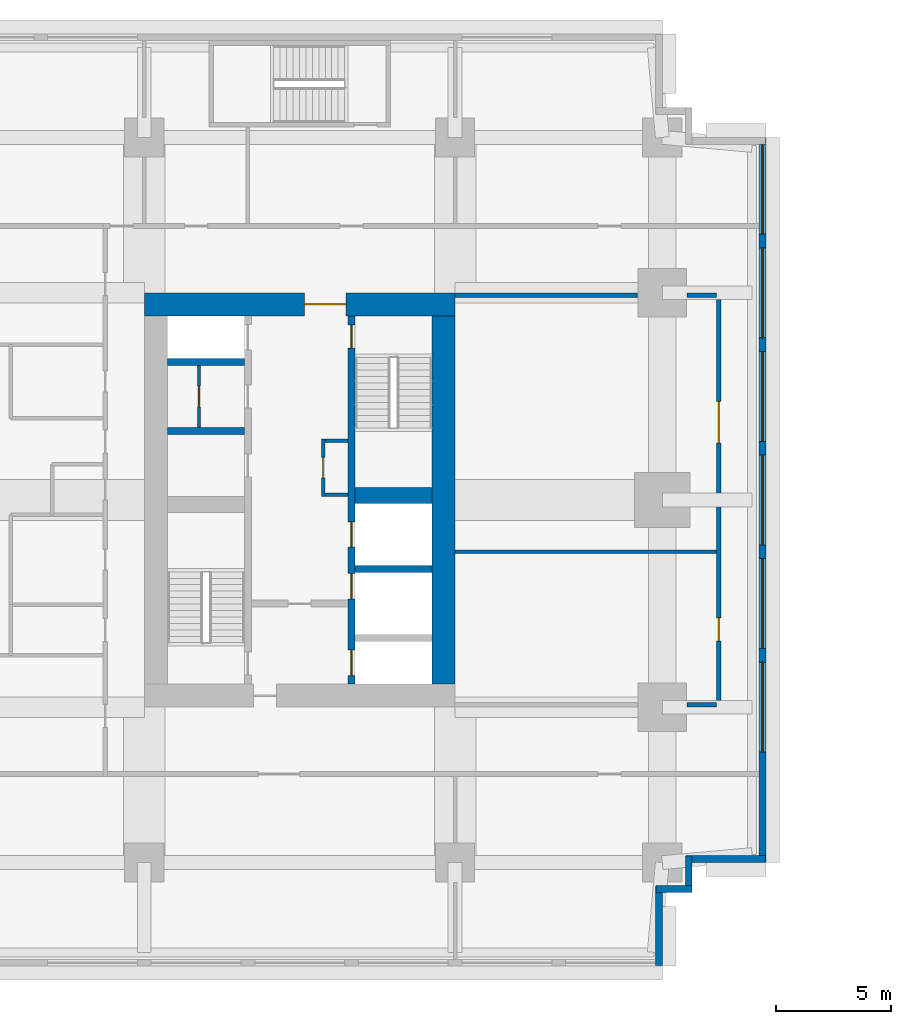
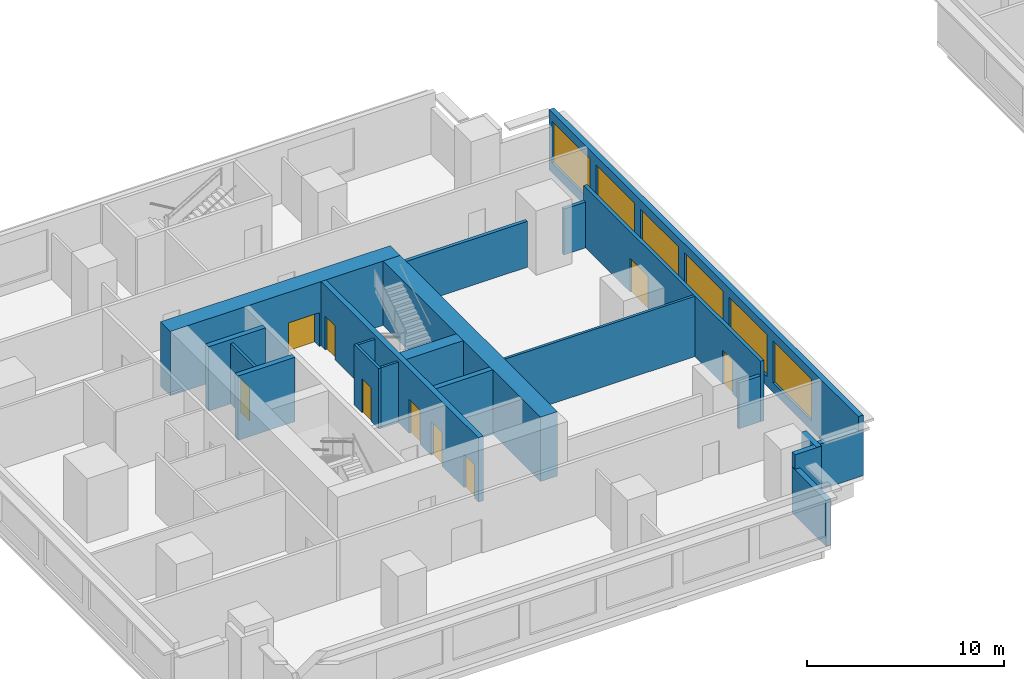
# One storey, part 4 of 10: 21 walls, 9 doors, 6 windows, 15 openings.
"""IFC4 building model written with IfcOpenShell, lengths in metres."""

from ifc_helpers import new_model, si_unit, direction, frame, frame_2d, origin, place, context, subcontext, project, spatial, rectangle, extrude, material, layer, layer_set, type_object, element, fill, save


model = new_model("IFC4")

# Units and contexts
model_context = context("Model", 3, precision=1e-05, world=origin(), true_north=direction((0.0, 1.0)))
body_context = subcontext(model_context, "Body", "Model", "MODEL_VIEW")
ifc_project = project(units=[si_unit("LENGTHUNIT", "METRE"), si_unit("AREAUNIT", "SQUARE_METRE"), si_unit("VOLUMEUNIT", "CUBIC_METRE"), si_unit("PLANEANGLEUNIT", "RADIAN"), si_unit("MASSUNIT", "GRAM", prefix="KILO")], contexts=[model_context])

# Site, building, storey
site_placement = place(None, origin())
site = spatial("IfcSite", under=ifc_project, at=site_placement, CompositionType="ELEMENT")
building_placement = place(site_placement, origin())
building = spatial("IfcBuilding", under=site, at=building_placement, Name="Namib Vertical Campus", CompositionType="ELEMENT")
storey_placement = place(building_placement, frame((0.0, 0.0, 161.0)))
storey = spatial("IfcBuildingStorey", under=building, at=storey_placement, Name="L38", CompositionType="ELEMENT", Elevation=161.0)

# Wall, openings, doors
ifc_material_1 = material(Name="Concrete C60/75", Category="concrete")
ifc_layer_1 = layer(ifc_material_1, 0.300048828125)
ifc_layer_set_1 = layer_set([ifc_layer_1], Name="Concrete C60/75")
wall_type_1 = type_object("IfcWallType", Name="Core inner wall 300", PredefinedType="SHEAR", material=ifc_layer_set_1)
wall_1_placement = place(storey_placement, frame((22.5, 12.25, 0.0), z_axis=(0.0, 0.0, 1.0), x_axis=(0.0, 1.0, 0.0)))
wall_1 = element("IfcWall", 1, at=wall_1_placement, inside=storey, type_object=wall_type_1, Name="Core inner wall A L38 W2", PredefinedType="SHEAR", context=body_context, shape_type="SweptSolid", body=[
    extrude(rectangle(XDim=16.0, YDim=0.300048828125, at=frame_2d((8.0, 0.0))), origin(), (0.0, 0.0, 1.0), 4.0),
])
opening_1_placement = place(wall_1_placement, frame((14.60009765625, 0.0, 0.0)))
opening_1 = element("IfcOpeningElement", 2, at=opening_1_placement, cuts=wall_1, Name="Opening FD1", PredefinedType="OPENING", context=body_context, shape_type="SweptSolid", body=[
    extrude(rectangle(XDim=1.0, YDim=2.10009765625, at=frame_2d((0.5, 1.050048828125))), frame((0.0, 0.159912109375, 0.0), z_axis=(0.0, -1.0, 0.0), x_axis=(1.0, 0.0, 0.0)), (0.0, 0.0, 1.0), 0.320068359375),
])
opening_2_placement = place(wall_1_placement, frame((0.375, 0.0, 0.0)))
opening_2 = element("IfcOpeningElement", 3, at=opening_2_placement, cuts=wall_1, Name="Opening LD1", PredefinedType="OPENING", context=body_context, shape_type="SweptSolid", body=[
    extrude(rectangle(XDim=1.10009765625, YDim=2.10009765625, at=frame_2d((0.550048828125, 1.050048828125))), frame((0.0, 0.159912109375, 0.0), z_axis=(0.0, -1.0, 0.0), x_axis=(1.0, 0.0, 0.0)), (0.0, 0.0, 1.0), 0.320068359375),
])
opening_3_placement = place(wall_1_placement, frame((3.699951171875, 0.0, 0.0)))
opening_3 = element("IfcOpeningElement", 4, at=opening_3_placement, cuts=wall_1, Name="Opening LD1", PredefinedType="OPENING", context=body_context, shape_type="SweptSolid", body=[
    extrude(rectangle(XDim=1.10009765625, YDim=2.10009765625, at=frame_2d((0.550048828125, 1.050048828125))), frame((0.0, 0.159912109375, 0.0), z_axis=(0.0, -1.0, 0.0), x_axis=(1.0, 0.0, 0.0)), (0.0, 0.0, 1.0), 0.320068359375),
])
opening_4_placement = place(wall_1_placement, frame((5.949951171875, 0.0, 0.0)))
opening_4 = element("IfcOpeningElement", 5, at=opening_4_placement, cuts=wall_1, Name="Opening LD1", PredefinedType="OPENING", context=body_context, shape_type="SweptSolid", body=[
    extrude(rectangle(XDim=1.10009765625, YDim=2.10009765625, at=frame_2d((0.550048828125, 1.050048828125))), frame((0.0, 0.159912109375, 0.0), z_axis=(0.0, -1.0, 0.0), x_axis=(1.0, 0.0, 0.0)), (0.0, 0.0, 1.0), 0.320068359375),
])
ifc_material_2 = material(Name="Steel fire door", Category="steel")
door_type_1 = type_object("IfcDoorType", Name="Fire door 1000x2100", OperationType="SINGLE_SWING_RIGHT", PredefinedType="DOOR", material=ifc_material_2)
door_1_placement = place(opening_1_placement, frame((1.0, 0.0, 0.0), z_axis=(0.0, 0.0, 1.0), x_axis=(-1.0, 0.0, 0.0)))
door_1 = element("IfcDoor", 6, at=door_1_placement, inside=storey, type_object=door_type_1, Name="Stair door FD1 A L38 S2", OperationType="SINGLE_SWING_LEFT", OverallHeight=2.10009765625, OverallWidth=1.0, PredefinedType="DOOR", context=body_context, shape_type="SweptSolid", body=[
    extrude(rectangle(XDim=1.0, YDim=2.10009765625, at=frame_2d((0.5, 1.050048828125))), frame((0.0, 0.02490234375, 0.0), z_axis=(0.0, -1.0, 0.0), x_axis=(1.0, 0.0, 0.0)), (0.0, 0.0, 1.0), 0.050048828125),
])
fill(opening_1, door_1)
ifc_material_3 = material(Name="Stainless steel lift door", Category="steel")
door_type_2 = type_object("IfcDoorType", Name="Lift landing door 1100x2100", OperationType="DOUBLE_DOOR_SLIDING", PredefinedType="DOOR", material=ifc_material_3)
door_2_placement = place(opening_2_placement, origin())
door_2 = element("IfcDoor", 7, at=door_2_placement, inside=storey, type_object=door_type_2, Name="Lift landing door LD1 A-FL1 L38", OperationType="DOUBLE_DOOR_SLIDING", OverallHeight=2.10009765625, OverallWidth=1.10009765625, PredefinedType="DOOR", context=body_context, shape_type="SweptSolid", body=[
    extrude(rectangle(XDim=1.10009765625, YDim=2.10009765625, at=frame_2d((0.550048828125, 1.050048828125))), frame((0.0, 0.02490234375, 0.0), z_axis=(0.0, -1.0, 0.0), x_axis=(1.0, 0.0, 0.0)), (0.0, 0.0, 1.0), 0.050048828125),
])
fill(opening_2, door_2)
door_3_placement = place(opening_3_placement, origin())
door_3 = element("IfcDoor", 8, at=door_3_placement, inside=storey, type_object=door_type_2, Name="Lift landing door LD1 A-P4 L38", OperationType="DOUBLE_DOOR_SLIDING", OverallHeight=2.10009765625, OverallWidth=1.10009765625, PredefinedType="DOOR", context=body_context, shape_type="SweptSolid", body=[
    extrude(rectangle(XDim=1.10009765625, YDim=2.10009765625, at=frame_2d((0.550048828125, 1.050048828125))), frame((0.0, 0.02490234375, 0.0), z_axis=(0.0, -1.0, 0.0), x_axis=(1.0, 0.0, 0.0)), (0.0, 0.0, 1.0), 0.050048828125),
])
fill(opening_3, door_3)
door_4_placement = place(opening_4_placement, origin())
door_4 = element("IfcDoor", 9, at=door_4_placement, inside=storey, type_object=door_type_2, Name="Lift landing door LD1 A-P5 L38", OperationType="DOUBLE_DOOR_SLIDING", OverallHeight=2.10009765625, OverallWidth=1.10009765625, PredefinedType="DOOR", context=body_context, shape_type="SweptSolid", body=[
    extrude(rectangle(XDim=1.10009765625, YDim=2.10009765625, at=frame_2d((0.550048828125, 1.050048828125))), frame((0.0, 0.02490234375, 0.0), z_axis=(0.0, -1.0, 0.0), x_axis=(1.0, 0.0, 0.0)), (0.0, 0.0, 1.0), 0.050048828125),
])
fill(opening_4, door_4)

# Walls
for number, where, z_axis, x_axis, name in (
    (10, (22.64990234375, 17.25, 0.0), (0.0, 0.0, 1.0), (1.0, 0.0, 0.0), "Core inner wall A L38 W6"),
    (11, (14.5, 23.25, 0.0), (0.0, 0.0, 1.0), (1.0, 0.0, 0.0), "Core inner wall A L38 W8"),
    (12, (14.5, 26.25, 0.0), (0.0, 0.0, 1.0), (1.0, 0.0, 0.0), "Core inner wall A L38 W9"),
):
    element("IfcWall", number, at=place(storey_placement, frame(where, z_axis=z_axis, x_axis=x_axis)), inside=storey, type_object=wall_type_1, Name=name, PredefinedType="SHEAR", context=body_context, shape_type="SweptSolid", body=[
        extrude(rectangle(XDim=3.35009765625, YDim=0.300048828125, at=frame_2d((1.675048828125, 0.0))), origin(), (0.0, 0.0, 1.0), 4.0),
    ])
ifc_material_4 = material(Name="Concrete C60/75", Category="concrete")
ifc_layer_2 = layer(ifc_material_4, 0.699951171875)
ifc_layer_set_2 = layer_set([ifc_layer_2], Name="Concrete C60/75")
wall_type_2 = type_object("IfcWallType", Name="Core shear wall 700", PredefinedType="SHEAR", material=ifc_layer_set_2)
wall_2_placement = place(storey_placement, frame((22.64990234375, 20.449951171875, 0.0), z_axis=(0.0, 0.0, 1.0), x_axis=(1.0, 0.0, 0.0)))
element("IfcWall", 13, at=wall_2_placement, inside=storey, type_object=wall_type_2, Name="Core shear wall A L38 W7", PredefinedType="SHEAR", context=body_context, shape_type="SweptSolid", body=[
    extrude(rectangle(XDim=3.35009765625, YDim=0.699951171875, at=frame_2d((1.675048828125, 0.0))), origin(), (0.0, 0.0, 1.0), 4.0),
])
ifc_material_5 = material(Name="Concrete C60/75", Category="concrete")
ifc_layer_3 = layer(ifc_material_5, 1.0)
ifc_layer_set_3 = layer_set([ifc_layer_3], Name="Concrete C60/75")
wall_type_3 = type_object("IfcWallType", Name="Core wall 1000", PredefinedType="SHEAR", material=ifc_layer_set_3)
wall_3_placement = place(storey_placement, frame((26.5, 12.25, 0.0), z_axis=(0.0, 0.0, 1.0), x_axis=(0.0, 1.0, 0.0)))
element("IfcWall", 14, at=wall_3_placement, inside=storey, type_object=wall_type_3, Name="Core wall A L38 2", PredefinedType="SHEAR", context=body_context, shape_type="SweptSolid", body=[
    extrude(rectangle(XDim=16.0, YDim=1.0, at=frame_2d((8.0, 0.0))), origin(), (0.0, 0.0, 1.0), 4.0),
])

# Wall, opening, door
wall_4_placement = place(storey_placement, frame((27.0, 28.75, 0.0), z_axis=(0.0, 0.0, 1.0), x_axis=(-1.0, 0.0, 0.0)))
wall_4 = element("IfcWall", 15, at=wall_4_placement, inside=storey, type_object=wall_type_3, Name="Core wall A L38 3", PredefinedType="SHEAR", context=body_context, shape_type="SweptSolid", body=[
    extrude(rectangle(XDim=13.5, YDim=1.0, at=frame_2d((6.75, 0.0))), origin(), (0.0, 0.0, 1.0), 4.0),
])
opening_5_placement = place(wall_4_placement, frame((4.75, 0.0, 0.0)))
opening_5 = element("IfcOpeningElement", 16, at=opening_5_placement, cuts=wall_4, Name="Opening FD2", PredefinedType="OPENING", context=body_context, shape_type="SweptSolid", body=[
    extrude(rectangle(XDim=1.800048828125, YDim=2.10009765625, at=frame_2d((0.89990234375, 1.050048828125))), frame((0.0, 0.510009765625, 0.0), z_axis=(0.0, -1.0, 0.0), x_axis=(1.0, 0.0, 0.0)), (0.0, 0.0, 1.0), 1.02001953125),
])
ifc_material_6 = material(Name="Steel fire door", Category="steel")
door_type_3 = type_object("IfcDoorType", Name="Fire door double 1800x2100", OperationType="DOUBLE_DOOR_SINGLE_SWING", PredefinedType="DOOR", material=ifc_material_6)
door_5_placement = place(opening_5_placement, origin())
door_5 = element("IfcDoor", 17, at=door_5_placement, inside=storey, type_object=door_type_3, Name="Lift lobby door FD2 A L38", OperationType="DOUBLE_DOOR_SINGLE_SWING", OverallHeight=2.10009765625, OverallWidth=1.800048828125, PredefinedType="DOOR", context=body_context, shape_type="SweptSolid", body=[
    extrude(rectangle(XDim=1.800048828125, YDim=2.10009765625, at=frame_2d((0.89990234375, 1.050048828125))), frame((0.0, 0.02490234375, 0.0), z_axis=(0.0, -1.0, 0.0), x_axis=(1.0, 0.0, 0.0)), (0.0, 0.0, 1.0), 0.050048828125),
])
fill(opening_5, door_5)

# Wall, openings, doors
ifc_material_7 = material(Name="Concrete masonry", Category="masonry")
ifc_layer_4 = layer(ifc_material_7, 0.199951171875)
ifc_layer_set_4 = layer_set([ifc_layer_4], Name="Corridor wall 200")
wall_type_4 = type_object("IfcWallType", Name="Corridor wall 200", PredefinedType="SOLIDWALL", material=ifc_layer_set_4)
wall_5_placement = place(storey_placement, frame((38.449951171875, 11.25, 0.0), z_axis=(0.0, 0.0, 1.0), x_axis=(0.0, 1.0, 0.0)))
wall_5 = element("IfcWall", 18, at=wall_5_placement, inside=storey, type_object=wall_type_4, Name="Corridor wall A L38 CG", PredefinedType="SOLIDWALL", context=body_context, shape_type="SweptSolid", body=[
    extrude(rectangle(XDim=18.0, YDim=0.199951171875, at=frame_2d((9.0, 0.0))), origin(), (0.0, 0.0, 1.0), 3.75),
])
opening_6_placement = place(wall_5_placement, frame((2.875, 0.0, 0.0)))
opening_6 = element("IfcOpeningElement", 19, at=opening_6_placement, cuts=wall_5, Name="Opening CD1", PredefinedType="OPENING", context=body_context, shape_type="SweptSolid", body=[
    extrude(rectangle(XDim=1.0, YDim=2.10009765625, at=frame_2d((0.5, 1.050048828125))), frame((0.0, 0.10986328125, 0.0), z_axis=(0.0, -1.0, 0.0), x_axis=(1.0, 0.0, 0.0)), (0.0, 0.0, 1.0), 0.219970703125),
])
opening_7_placement = place(wall_5_placement, frame((11.47509765625, 0.0, 0.0)))
opening_7 = element("IfcOpeningElement", 20, at=opening_7_placement, cuts=wall_5, Name="Opening CD2", PredefinedType="OPENING", context=body_context, shape_type="SweptSolid", body=[
    extrude(rectangle(XDim=1.800048828125, YDim=2.10009765625, at=frame_2d((0.89990234375, 1.050048828125))), frame((0.0, 0.10986328125, 0.0), z_axis=(0.0, -1.0, 0.0), x_axis=(1.0, 0.0, 0.0)), (0.0, 0.0, 1.0), 0.219970703125),
])
ifc_material_8 = material(Name="Timber fire door leaf", Category="wood")
door_type_4 = type_object("IfcDoorType", Name="Corridor door 1000x2100 20 min", OperationType="SINGLE_SWING_LEFT", PredefinedType="DOOR", material=ifc_material_8)
door_6_placement = place(opening_6_placement, origin())
door_6 = element("IfcDoor", 21, at=door_6_placement, inside=storey, type_object=door_type_4, Name="Door CD1 A38-03", OperationType="SINGLE_SWING_LEFT", OverallHeight=2.10009765625, OverallWidth=1.0, PredefinedType="DOOR", context=body_context, shape_type="SweptSolid", body=[
    extrude(rectangle(XDim=1.0, YDim=2.10009765625, at=frame_2d((0.5, 1.050048828125))), frame((0.0, 0.02490234375, 0.0), z_axis=(0.0, -1.0, 0.0), x_axis=(1.0, 0.0, 0.0)), (0.0, 0.0, 1.0), 0.050048828125),
])
fill(opening_6, door_6)
ifc_material_9 = material(Name="Timber fire door leaf", Category="wood")
door_type_5 = type_object("IfcDoorType", Name="Corridor door double 1800x2100 20 min", OperationType="DOUBLE_DOOR_SINGLE_SWING", PredefinedType="DOOR", material=ifc_material_9)
door_7_placement = place(opening_7_placement, origin())
door_7 = element("IfcDoor", 22, at=door_7_placement, inside=storey, type_object=door_type_5, Name="Door CD2 A38-04", OperationType="DOUBLE_DOOR_SINGLE_SWING", OverallHeight=2.10009765625, OverallWidth=1.800048828125, PredefinedType="DOOR", context=body_context, shape_type="SweptSolid", body=[
    extrude(rectangle(XDim=1.800048828125, YDim=2.10009765625, at=frame_2d((0.89990234375, 1.050048828125))), frame((0.0, 0.02490234375, 0.0), z_axis=(0.0, -1.0, 0.0), x_axis=(1.0, 0.0, 0.0)), (0.0, 0.0, 1.0), 0.050048828125),
])
fill(opening_7, door_7)

# Walls
wall_6_placement = place(storey_placement, frame((37.070068359375, 11.35009765625, 0.0), z_axis=(0.0, 0.0, 1.0), x_axis=(1.0, 0.0, 0.0)))
element("IfcWall", 23, at=wall_6_placement, inside=storey, type_object=wall_type_4, Name="Corridor wall A L38 GS", PredefinedType="SOLIDWALL", context=body_context, shape_type="SweptSolid", body=[
    extrude(rectangle(XDim=1.280029296875, YDim=0.199951171875, at=frame_2d((0.64013671875, 0.0))), origin(), (0.0, 0.0, 1.0), 2.85009765625),
])
wall_7_placement = place(storey_placement, frame((27.0, 29.14990234375, 0.0), z_axis=(0.0, 0.0, 1.0), x_axis=(1.0, 0.0, 0.0)))
element("IfcWall", 24, at=wall_7_placement, inside=storey, type_object=wall_type_4, Name="Corridor wall A L38 GN", PredefinedType="SOLIDWALL", context=body_context, shape_type="SweptSolid", body=[
    extrude(rectangle(XDim=7.929931640625, YDim=0.199951171875, at=frame_2d((3.96484375, 0.0))), origin(), (0.0, 0.0, 1.0), 2.85009765625),
])
wall_8_placement = place(storey_placement, frame((37.070068359375, 29.14990234375, 0.0), z_axis=(0.0, 0.0, 1.0), x_axis=(1.0, 0.0, 0.0)))
element("IfcWall", 25, at=wall_8_placement, inside=storey, type_object=wall_type_4, Name="Corridor wall A L38 GN", PredefinedType="SOLIDWALL", context=body_context, shape_type="SweptSolid", body=[
    extrude(rectangle(XDim=1.280029296875, YDim=0.199951171875, at=frame_2d((0.64013671875, 0.0))), origin(), (0.0, 0.0, 1.0), 2.85009765625),
])
ifc_material_10 = material(Name="Concrete C40/50", Category="concrete")
ifc_layer_5 = layer(ifc_material_10, 0.300048828125)
ifc_layer_set_5 = layer_set([ifc_layer_5], Name="Concrete C40/50")
wall_type_5 = type_object("IfcWallType", Name="External wall 300 board-marked concrete", PredefinedType="STANDARD", material=ifc_layer_set_5)
wall_9_placement = place(storey_placement, frame((35.85009765625, 0.02001953125, 0.0), z_axis=(0.0, 0.0, 1.0), x_axis=(0.0, 1.0, 0.0)))
element("IfcWall", 26, at=wall_9_placement, inside=storey, type_object=wall_type_5, Name="External wall L38 F02", PredefinedType="STANDARD", context=body_context, shape_type="SweptSolid", body=[
    extrude(rectangle(XDim=3.4599609375, YDim=0.300048828125, at=frame_2d((1.72998046875, 0.0))), origin(), (0.0, 0.0, 1.0), 2.85009765625),
])
for number, where, z_axis, x_axis, name in (
    (27, (35.719970703125, 3.35009765625, 0.0), (0.0, 0.0, 1.0), (1.0, 0.0, 0.0), "External wall L38 F03"),
    (28, (37.14990234375, 3.219970703125, 0.0), (0.0, 0.0, 1.0), (0.0, 1.0, 0.0), "External wall L38 F04"),
):
    element("IfcWall", number, at=place(storey_placement, frame(where, z_axis=z_axis, x_axis=x_axis)), inside=storey, type_object=wall_type_5, Name=name, PredefinedType="STANDARD", context=body_context, shape_type="SweptSolid", body=[
        extrude(rectangle(XDim=1.56005859375, YDim=0.300048828125, at=frame_2d((0.780029296875, 0.0))), origin(), (0.0, 0.0, 1.0), 3.75),
    ])
wall_10_placement = place(storey_placement, frame((37.02001953125, 4.64990234375, 0.0), z_axis=(0.0, 0.0, 1.0), x_axis=(1.0, 0.0, 0.0)))
element("IfcWall", 29, at=wall_10_placement, inside=storey, type_object=wall_type_5, Name="External wall L38 F05", PredefinedType="STANDARD", context=body_context, shape_type="SweptSolid", body=[
    extrude(rectangle(XDim=3.4599609375, YDim=0.300048828125, at=frame_2d((1.72998046875, 0.0))), origin(), (0.0, 0.0, 1.0), 2.85009765625),
])

# Wall, openings, windows
wall_11_placement = place(storey_placement, frame((40.35009765625, 4.52001953125, 0.0), z_axis=(0.0, 0.0, 1.0), x_axis=(0.0, 1.0, 0.0)))
wall_11 = element("IfcWall", 30, at=wall_11_placement, inside=storey, type_object=wall_type_5, Name="External wall L38 F06", PredefinedType="STANDARD", context=body_context, shape_type="SweptSolid", body=[
    extrude(rectangle(XDim=31.4599609375, YDim=0.300048828125, at=frame_2d((15.72998046875, 0.0))), origin(), (0.0, 0.0, 1.0), 3.75),
])
opening_8_placement = place(wall_11_placement, frame((4.780029296875, 0.0, 0.60009765625)))
opening_8 = element("IfcOpeningElement", 31, at=opening_8_placement, cuts=wall_11, Name="Opening W2", PredefinedType="OPENING", context=body_context, shape_type="SweptSolid", body=[
    extrude(rectangle(XDim=3.89990234375, YDim=2.60009765625, at=frame_2d((1.949951171875, 1.300048828125))), frame((0.0, 0.159912109375, 0.0), z_axis=(0.0, -1.0, 0.0), x_axis=(1.0, 0.0, 0.0)), (0.0, 0.0, 1.0), 0.320068359375),
])
opening_9_placement = place(wall_11_placement, frame((9.280029296875, 0.0, 0.60009765625)))
opening_9 = element("IfcOpeningElement", 32, at=opening_9_placement, cuts=wall_11, Name="Opening W2", PredefinedType="OPENING", context=body_context, shape_type="SweptSolid", body=[
    extrude(rectangle(XDim=3.89990234375, YDim=2.60009765625, at=frame_2d((1.949951171875, 1.300048828125))), frame((0.0, 0.159912109375, 0.0), z_axis=(0.0, -1.0, 0.0), x_axis=(1.0, 0.0, 0.0)), (0.0, 0.0, 1.0), 0.320068359375),
])
opening_10_placement = place(wall_11_placement, frame((13.780029296875, 0.0, 0.60009765625)))
opening_10 = element("IfcOpeningElement", 33, at=opening_10_placement, cuts=wall_11, Name="Opening W2", PredefinedType="OPENING", context=body_context, shape_type="SweptSolid", body=[
    extrude(rectangle(XDim=3.89990234375, YDim=2.60009765625, at=frame_2d((1.949951171875, 1.300048828125))), frame((0.0, 0.159912109375, 0.0), z_axis=(0.0, -1.0, 0.0), x_axis=(1.0, 0.0, 0.0)), (0.0, 0.0, 1.0), 0.320068359375),
])
opening_11_placement = place(wall_11_placement, frame((18.280029296875, 0.0, 0.60009765625)))
opening_11 = element("IfcOpeningElement", 34, at=opening_11_placement, cuts=wall_11, Name="Opening W2", PredefinedType="OPENING", context=body_context, shape_type="SweptSolid", body=[
    extrude(rectangle(XDim=3.89990234375, YDim=2.60009765625, at=frame_2d((1.949951171875, 1.300048828125))), frame((0.0, 0.159912109375, 0.0), z_axis=(0.0, -1.0, 0.0), x_axis=(1.0, 0.0, 0.0)), (0.0, 0.0, 1.0), 0.320068359375),
])
opening_12_placement = place(wall_11_placement, frame((22.780029296875, 0.0, 0.60009765625)))
opening_12 = element("IfcOpeningElement", 35, at=opening_12_placement, cuts=wall_11, Name="Opening W2", PredefinedType="OPENING", context=body_context, shape_type="SweptSolid", body=[
    extrude(rectangle(XDim=3.89990234375, YDim=2.60009765625, at=frame_2d((1.949951171875, 1.300048828125))), frame((0.0, 0.159912109375, 0.0), z_axis=(0.0, -1.0, 0.0), x_axis=(1.0, 0.0, 0.0)), (0.0, 0.0, 1.0), 0.320068359375),
])
opening_13_placement = place(wall_11_placement, frame((27.280029296875, 0.0, 0.60009765625)))
opening_13 = element("IfcOpeningElement", 36, at=opening_13_placement, cuts=wall_11, Name="Opening W2", PredefinedType="OPENING", context=body_context, shape_type="SweptSolid", body=[
    extrude(rectangle(XDim=3.89990234375, YDim=2.60009765625, at=frame_2d((1.949951171875, 1.300048828125))), frame((0.0, 0.159912109375, 0.0), z_axis=(0.0, -1.0, 0.0), x_axis=(1.0, 0.0, 0.0)), (0.0, 0.0, 1.0), 0.320068359375),
])
ifc_material_11 = material(Name="Dark tinted glass in black aluminium frame", Category="aluminium")
window_type = type_object("IfcWindowType", Name="Ribbon window 3900x2600", PartitioningType="SINGLE_PANEL", PredefinedType="WINDOW", material=ifc_material_11)
window_1_placement = place(opening_8_placement, origin())
window_1 = element("IfcWindow", 37, at=window_1_placement, inside=storey, type_object=window_type, Name="Window W2 L38 F06-2", OverallHeight=2.60009765625, OverallWidth=3.89990234375, PartitioningType="SINGLE_PANEL", PredefinedType="WINDOW", context=body_context, shape_type="SweptSolid", body=[
    extrude(rectangle(XDim=3.89990234375, YDim=2.60009765625, at=frame_2d((1.949951171875, 1.300048828125))), frame((0.0, 0.030029296875, 0.0), z_axis=(0.0, -1.0, 0.0), x_axis=(1.0, 0.0, 0.0)), (0.0, 0.0, 1.0), 0.06005859375),
])
fill(opening_8, window_1)
window_2_placement = place(opening_9_placement, origin())
window_2 = element("IfcWindow", 38, at=window_2_placement, inside=storey, type_object=window_type, Name="Window W2 L38 F06-3", OverallHeight=2.60009765625, OverallWidth=3.89990234375, PartitioningType="SINGLE_PANEL", PredefinedType="WINDOW", context=body_context, shape_type="SweptSolid", body=[
    extrude(rectangle(XDim=3.89990234375, YDim=2.60009765625, at=frame_2d((1.949951171875, 1.300048828125))), frame((0.0, 0.030029296875, 0.0), z_axis=(0.0, -1.0, 0.0), x_axis=(1.0, 0.0, 0.0)), (0.0, 0.0, 1.0), 0.06005859375),
])
fill(opening_9, window_2)
window_3_placement = place(opening_10_placement, origin())
window_3 = element("IfcWindow", 39, at=window_3_placement, inside=storey, type_object=window_type, Name="Window W2 L38 F06-4", OverallHeight=2.60009765625, OverallWidth=3.89990234375, PartitioningType="SINGLE_PANEL", PredefinedType="WINDOW", context=body_context, shape_type="SweptSolid", body=[
    extrude(rectangle(XDim=3.89990234375, YDim=2.60009765625, at=frame_2d((1.949951171875, 1.300048828125))), frame((0.0, 0.030029296875, 0.0), z_axis=(0.0, -1.0, 0.0), x_axis=(1.0, 0.0, 0.0)), (0.0, 0.0, 1.0), 0.06005859375),
])
fill(opening_10, window_3)
window_4_placement = place(opening_11_placement, origin())
window_4 = element("IfcWindow", 40, at=window_4_placement, inside=storey, type_object=window_type, Name="Window W2 L38 F06-5", OverallHeight=2.60009765625, OverallWidth=3.89990234375, PartitioningType="SINGLE_PANEL", PredefinedType="WINDOW", context=body_context, shape_type="SweptSolid", body=[
    extrude(rectangle(XDim=3.89990234375, YDim=2.60009765625, at=frame_2d((1.949951171875, 1.300048828125))), frame((0.0, 0.030029296875, 0.0), z_axis=(0.0, -1.0, 0.0), x_axis=(1.0, 0.0, 0.0)), (0.0, 0.0, 1.0), 0.06005859375),
])
fill(opening_11, window_4)
window_5_placement = place(opening_12_placement, origin())
window_5 = element("IfcWindow", 41, at=window_5_placement, inside=storey, type_object=window_type, Name="Window W2 L38 F06-6", OverallHeight=2.60009765625, OverallWidth=3.89990234375, PartitioningType="SINGLE_PANEL", PredefinedType="WINDOW", context=body_context, shape_type="SweptSolid", body=[
    extrude(rectangle(XDim=3.89990234375, YDim=2.60009765625, at=frame_2d((1.949951171875, 1.300048828125))), frame((0.0, 0.030029296875, 0.0), z_axis=(0.0, -1.0, 0.0), x_axis=(1.0, 0.0, 0.0)), (0.0, 0.0, 1.0), 0.06005859375),
])
fill(opening_12, window_5)
window_6_placement = place(opening_13_placement, origin())
window_6 = element("IfcWindow", 42, at=window_6_placement, inside=storey, type_object=window_type, Name="Window W2 L38 F06-7", OverallHeight=2.60009765625, OverallWidth=3.89990234375, PartitioningType="SINGLE_PANEL", PredefinedType="WINDOW", context=body_context, shape_type="SweptSolid", body=[
    extrude(rectangle(XDim=3.89990234375, YDim=2.60009765625, at=frame_2d((1.949951171875, 1.300048828125))), frame((0.0, 0.030029296875, 0.0), z_axis=(0.0, -1.0, 0.0), x_axis=(1.0, 0.0, 0.0)), (0.0, 0.0, 1.0), 0.06005859375),
])
fill(opening_13, window_6)

# Wall, opening, door
ifc_material_12 = material(Name="Gypsum board on steel studs", Category="steel")
ifc_layer_6 = layer(ifc_material_12, 0.14990234375)
ifc_layer_set_6 = layer_set([ifc_layer_6], Name="Gypsum board on steel studs")
wall_type_6 = type_object("IfcWallType", Name="Partition 150", PredefinedType="PARTITIONING", material=ifc_layer_set_6)
wall_12_placement = place(storey_placement, frame((21.27490234375, 20.39990234375, 0.0), z_axis=(0.0, 0.0, 1.0), x_axis=(0.0, 1.0, 0.0)))
wall_12 = element("IfcWall", 43, at=wall_12_placement, inside=storey, type_object=wall_type_6, Name="Partition A L38 Cleaners' store front", PredefinedType="PARTITIONING", context=body_context, shape_type="SweptSolid", body=[
    extrude(rectangle(XDim=2.5, YDim=0.14990234375, at=frame_2d((1.25, 0.0))), origin(), (0.0, 0.0, 1.0), 3.75),
])
opening_14_placement = place(wall_12_placement, frame((0.800048828125, 0.0, 0.0)))
opening_14 = element("IfcOpeningElement", 44, at=opening_14_placement, cuts=wall_12, Name="Opening D3", PredefinedType="OPENING", context=body_context, shape_type="SweptSolid", body=[
    extrude(rectangle(XDim=0.89990234375, YDim=2.10009765625, at=frame_2d((0.449951171875, 1.050048828125))), frame((0.0, 0.0849609375, 0.0), z_axis=(0.0, -1.0, 0.0), x_axis=(1.0, 0.0, 0.0)), (0.0, 0.0, 1.0), 0.169921875),
])
ifc_material_13 = material(Name="Timber door leaf", Category="wood")
door_type_6 = type_object("IfcDoorType", Name="Toilet door 900x2100", OperationType="SINGLE_SWING_LEFT", PredefinedType="DOOR", material=ifc_material_13)
door_8_placement = place(opening_14_placement, frame((0.89990234375, 0.0, 0.0), z_axis=(0.0, 0.0, 1.0), x_axis=(-1.0, 0.0, 0.0)))
door_8 = element("IfcDoor", 45, at=door_8_placement, inside=storey, type_object=door_type_6, Name="Door D3 Cleaners' store A L38", OperationType="SINGLE_SWING_RIGHT", OverallHeight=2.10009765625, OverallWidth=0.89990234375, PredefinedType="DOOR", context=body_context, shape_type="SweptSolid", body=[
    extrude(rectangle(XDim=0.89990234375, YDim=2.10009765625, at=frame_2d((0.449951171875, 1.050048828125))), frame((0.0, 0.02490234375, 0.0), z_axis=(0.0, -1.0, 0.0), x_axis=(1.0, 0.0, 0.0)), (0.0, 0.0, 1.0), 0.050048828125),
])
fill(opening_14, door_8)

# Walls
for number, where, z_axis, x_axis, name in (
    (46, (21.35009765625, 20.47509765625, 0.0), (0.0, 0.0, 1.0), (1.0, 0.0, 0.0), "Partition A L38 Cleaners' store end 1"),
    (47, (21.35009765625, 22.824951171875, 0.0), (0.0, 0.0, 1.0), (1.0, 0.0, 0.0), "Partition A L38 Cleaners' store end 2"),
):
    element("IfcWall", number, at=place(storey_placement, frame(where, z_axis=z_axis, x_axis=x_axis)), inside=storey, type_object=wall_type_6, Name=name, PredefinedType="PARTITIONING", context=body_context, shape_type="SweptSolid", body=[
        extrude(rectangle(XDim=1.0, YDim=0.14990234375, at=frame_2d((0.5, 0.0))), origin(), (0.0, 0.0, 1.0), 3.75),
    ])

# Wall, opening, door
wall_13_placement = place(storey_placement, frame((15.875, 23.39990234375, 0.0), z_axis=(0.0, 0.0, 1.0), x_axis=(0.0, 1.0, 0.0)))
wall_13 = element("IfcWall", 48, at=wall_13_placement, inside=storey, type_object=wall_type_6, Name="Partition A L38 Store P2 back", PredefinedType="PARTITIONING", context=body_context, shape_type="SweptSolid", body=[
    extrude(rectangle(XDim=2.7001953125, YDim=0.14990234375, at=frame_2d((1.35009765625, 0.0))), origin(), (0.0, 0.0, 1.0), 3.75),
])
opening_15_placement = place(wall_13_placement, frame((0.89990234375, 0.0, 0.0)))
opening_15 = element("IfcOpeningElement", 49, at=opening_15_placement, cuts=wall_13, Name="Opening D3", PredefinedType="OPENING", context=body_context, shape_type="SweptSolid", body=[
    extrude(rectangle(XDim=0.89990234375, YDim=2.10009765625, at=frame_2d((0.449951171875, 1.050048828125))), frame((0.0, 0.0849609375, 0.0), z_axis=(0.0, -1.0, 0.0), x_axis=(1.0, 0.0, 0.0)), (0.0, 0.0, 1.0), 0.169921875),
])
door_9_placement = place(opening_15_placement, origin())
door_9 = element("IfcDoor", 50, at=door_9_placement, inside=storey, type_object=door_type_6, Name="Door D3 Store A L38 P2", OperationType="SINGLE_SWING_LEFT", OverallHeight=2.10009765625, OverallWidth=0.89990234375, PredefinedType="DOOR", context=body_context, shape_type="SweptSolid", body=[
    extrude(rectangle(XDim=0.89990234375, YDim=2.10009765625, at=frame_2d((0.449951171875, 1.050048828125))), frame((0.0, 0.02490234375, 0.0), z_axis=(0.0, -1.0, 0.0), x_axis=(1.0, 0.0, 0.0)), (0.0, 0.0, 1.0), 0.050048828125),
])
fill(opening_15, door_9)

# Wall
wall_14_placement = place(storey_placement, frame((27.0, 18.0, 0.0), z_axis=(0.0, 0.0, 1.0), x_axis=(1.0, 0.0, 0.0)))
element("IfcWall", 51, at=wall_14_placement, inside=storey, type_object=wall_type_6, Name="Partition A L38 PE1", PredefinedType="PARTITIONING", context=body_context, shape_type="SweptSolid", body=[
    extrude(rectangle(XDim=11.35009765625, YDim=0.14990234375, at=frame_2d((5.675048828125, 0.0))), origin(), (0.0, 0.0, 1.0), 3.75),
])

save(model, "model.ifc")
